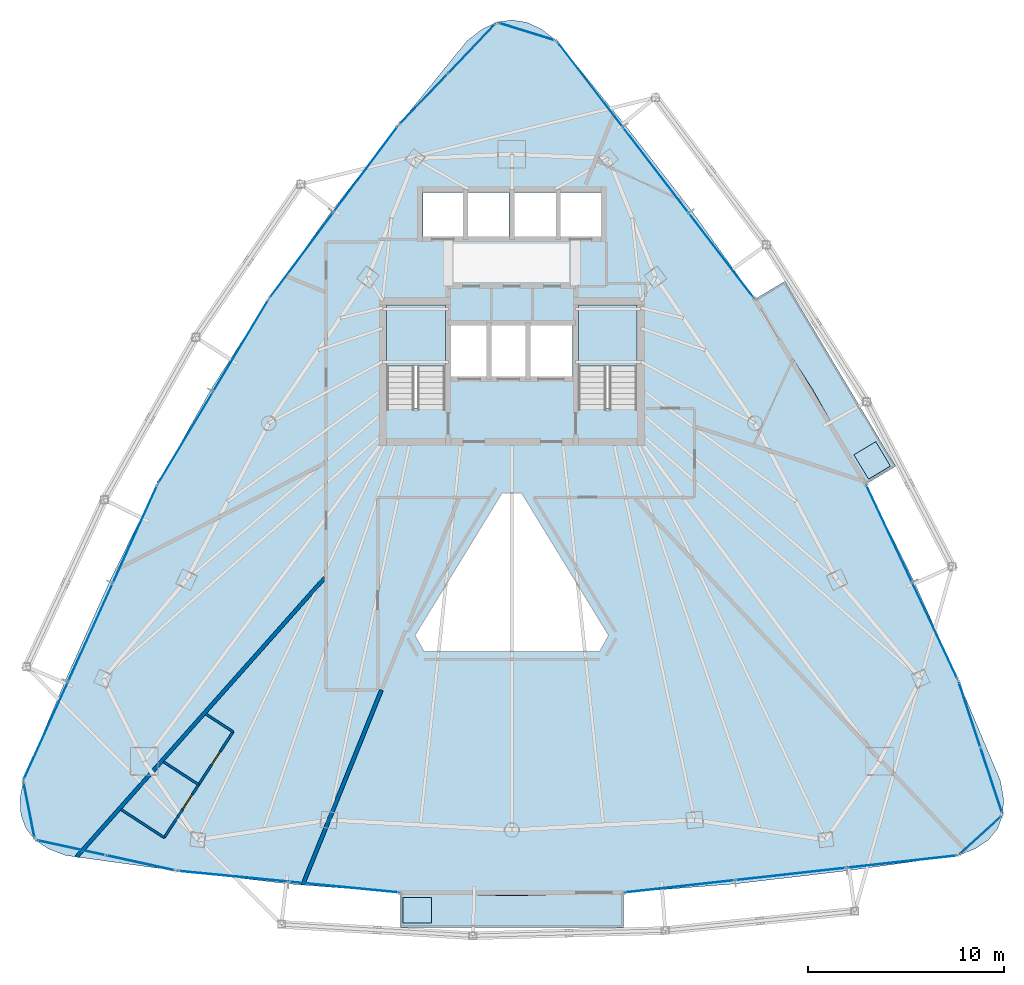
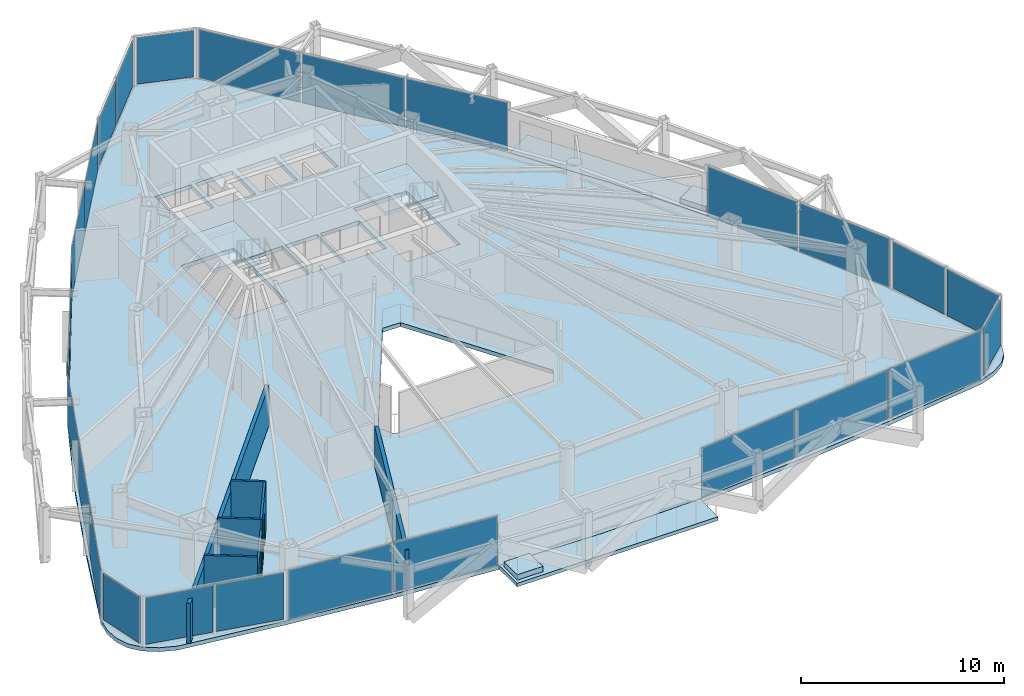
# One storey, part 26 of 31: 26 plates, 7 slabs, 7 walls, 2 doors, 2 openings, 15 elements without a shape of their own.
"""IFC4 building model written with IfcOpenShell, lengths in metres."""

from ifc_helpers import new_model, si_unit, direction, frame, frame_2d, origin, origin_2d, place, context, subcontext, project, spatial, polyline, rectangle, outline, extrude, material, layer, layer_set, type_object, element, fill, aggregate, save


model = new_model("IFC4")

# Units and contexts
model_context = context("Model", 3, precision=1e-05, world=origin(), true_north=direction((0.0, 1.0)))
body_context = subcontext(model_context, "Body", "Model", "MODEL_VIEW")
ifc_project = project(units=[si_unit("LENGTHUNIT", "METRE"), si_unit("AREAUNIT", "SQUARE_METRE"), si_unit("VOLUMEUNIT", "CUBIC_METRE"), si_unit("PLANEANGLEUNIT", "RADIAN"), si_unit("MASSUNIT", "GRAM", prefix="KILO")], contexts=[model_context])

# Site, building, storey
site_placement = place(None, origin())
site = spatial("IfcSite", under=ifc_project, at=site_placement, CompositionType="ELEMENT")
building_placement = place(site_placement, origin())
building = spatial("IfcBuilding", under=site, at=building_placement, Name="Orvanel Arch Residences", CompositionType="ELEMENT")
storey_placement = place(building_placement, frame((0.0, 0.0, 150.64990234375)))
storey = spatial("IfcBuildingStorey", under=building, at=storey_placement, Name="L42", CompositionType="ELEMENT", Elevation=150.64990234375)

# Curtain wall, plates
ifc_material_1 = material(Name="Bronze-anodised aluminium AA6063-T6", Category="aluminium")
ifc_layer_1 = layer(ifc_material_1, 0.179931640625)
ifc_layer_set_1 = layer_set([ifc_layer_1], Name="Bronze-anodised aluminium AA6063-T6")
curtain_wall_type_1 = type_object("IfcCurtainWallType", Name="CW3-MID-SYS", PredefinedType="NOTDEFINED", material=ifc_layer_set_1)
curtain_wall_1_placement = place(storey_placement, origin())
curtain_wall_1 = element("IfcCurtainWall", 1, at=curtain_wall_1_placement, inside=storey, type_object=curtain_wall_type_1, Name="L42 CW3-MID-SYS Unitised Curtain Wall", PredefinedType="NOTDEFINED")
ifc_material_2 = material(Name="Double-glazed solar-control low-E safety glass", Category="glass")
ifc_layer_2 = layer(ifc_material_2, 0.028076171875)
ifc_layer_set_2 = layer_set([ifc_layer_2], Name="Double-glazed solar-control low-E safety glass")
plate_type_1 = type_object("IfcPlateType", Name="PNL-GLZ-28", PredefinedType="CURTAIN_PANEL", material=ifc_layer_set_2)
plate_1_placement = place(storey_placement, frame((25.520751953125, 40.6259765625, 0.06005859375), z_axis=(0.0, 0.0, 1.0), x_axis=(-0.597911652775, -0.801562009751, 0.0)))
plate_1 = element("IfcPlate", 2, at=plate_1_placement, type_object=plate_type_1, Name="CW-S3 panel 1.1", PredefinedType="CURTAIN_PANEL", context=body_context, shape_type="SweptSolid", body=[
    extrude(rectangle(XDim=5.416748046875, YDim=0.028076171875, at=origin_2d()), origin(), (0.0, 0.0, 1.0), 2.93994140625),
])
plate_2_placement = place(storey_placement, frame((22.240234375, 36.22802734375, 0.06005859375), z_axis=(0.0, 0.0, 1.0), x_axis=(-0.597911652775, -0.801562009751, 0.0)))
plate_2 = element("IfcPlate", 3, at=plate_2_placement, type_object=plate_type_1, Name="CW-S3 panel 2.1", PredefinedType="CURTAIN_PANEL", context=body_context, shape_type="SweptSolid", body=[
    extrude(rectangle(XDim=5.416748046875, YDim=0.028076171875, at=origin_2d()), origin(), (0.0, 0.0, 1.0), 2.93994140625),
])
aggregate(curtain_wall_1, [plate_1, plate_2])

curtain_wall_2_placement = place(storey_placement, origin())
curtain_wall_2 = element("IfcCurtainWall", 4, at=curtain_wall_2_placement, inside=storey, type_object=curtain_wall_type_1, Name="L42 CW3-MID-SYS Unitised Curtain Wall", PredefinedType="NOTDEFINED")
plate_3_placement = place(storey_placement, frame((19.135009765625, 31.597412109375, 0.06005859375), z_axis=(0.0, 0.0, 1.0), x_axis=(-0.514415446021, -0.857541106242, 0.0)))
plate_3 = element("IfcPlate", 5, at=plate_3_placement, type_object=plate_type_1, Name="CW-S3 panel 1.1", PredefinedType="CURTAIN_PANEL", context=body_context, shape_type="SweptSolid", body=[
    extrude(rectangle(XDim=5.388671875, YDim=0.028076171875, at=origin_2d()), origin(), (0.0, 0.0, 1.0), 2.93994140625),
])
plate_4_placement = place(storey_placement, frame((16.326904296875, 26.91650390625, 0.06005859375), z_axis=(0.0, 0.0, 1.0), x_axis=(-0.514415446021, -0.857541106242, 0.0)))
plate_4 = element("IfcPlate", 6, at=plate_4_placement, type_object=plate_type_1, Name="CW-S3 panel 2.1", PredefinedType="CURTAIN_PANEL", context=body_context, shape_type="SweptSolid", body=[
    extrude(rectangle(XDim=5.388671875, YDim=0.028076171875, at=origin_2d()), origin(), (0.0, 0.0, 1.0), 2.93994140625),
])
aggregate(curtain_wall_2, [plate_3, plate_4])

curtain_wall_3_placement = place(storey_placement, origin())
curtain_wall_3 = element("IfcCurtainWall", 7, at=curtain_wall_3_placement, inside=storey, type_object=curtain_wall_type_1, Name="L42 CW3-MID-SYS Unitised Curtain Wall", PredefinedType="NOTDEFINED")
plate_5_placement = place(storey_placement, frame((13.73583984375, 21.97412109375, 0.06005859375), z_axis=(0.0, 0.0, 1.0), x_axis=(-0.413181425091, -0.910648730279, 0.0)))
plate_5 = element("IfcPlate", 8, at=plate_5_placement, type_object=plate_type_1, Name="CW-S3 panel 1.1", PredefinedType="CURTAIN_PANEL", context=body_context, shape_type="SweptSolid", body=[
    extrude(rectangle(XDim=5.431640625, YDim=0.028076171875, at=origin_2d()), origin(), (0.0, 0.0, 1.0), 2.93994140625),
])
plate_6_placement = place(storey_placement, frame((11.45556640625, 16.947998046875, 0.06005859375), z_axis=(0.0, 0.0, 1.0), x_axis=(-0.413181425091, -0.910648730279, 0.0)))
plate_6 = element("IfcPlate", 9, at=plate_6_placement, type_object=plate_type_1, Name="CW-S3 panel 2.1", PredefinedType="CURTAIN_PANEL", context=body_context, shape_type="SweptSolid", body=[
    extrude(rectangle(XDim=5.466796875, YDim=0.028076171875, at=origin_2d()), origin(), (0.0, 0.0, 1.0), 2.93994140625),
])
plate_7_placement = place(storey_placement, frame((9.175048828125, 11.921875, 0.06005859375), z_axis=(0.0, 0.0, 1.0), x_axis=(-0.413181425091, -0.910648730279, 0.0)))
plate_7 = element("IfcPlate", 10, at=plate_7_placement, type_object=plate_type_1, Name="CW-S3 panel 3.1", PredefinedType="CURTAIN_PANEL", context=body_context, shape_type="SweptSolid", body=[
    extrude(rectangle(XDim=5.431640625, YDim=0.028076171875, at=origin_2d()), origin(), (0.0, 0.0, 1.0), 2.93994140625),
])
aggregate(curtain_wall_3, [plate_5, plate_6, plate_7])

curtain_wall_4_placement = place(storey_placement, origin())
curtain_wall_4 = element("IfcCurtainWall", 11, at=curtain_wall_4_placement, inside=storey, type_object=curtain_wall_type_1, Name="L42 CW3-MID-SYS Unitised Curtain Wall", PredefinedType="NOTDEFINED")
plate_8_placement = place(storey_placement, frame((18.7666015625, 4.47314453125, 0.06005859375), z_axis=(0.0, 0.0, 1.0), x_axis=(0.995276078249, -0.097085158831, 0.0)))
plate_8 = element("IfcPlate", 12, at=plate_8_placement, type_object=plate_type_1, Name="CW-S3 panel 1.1", PredefinedType="CURTAIN_PANEL", context=body_context, shape_type="SweptSolid", body=[
    extrude(rectangle(XDim=5.6064453125, YDim=0.028076171875, at=origin_2d()), origin(), (0.0, 0.0, 1.0), 2.93994140625),
])
plate_9_placement = place(storey_placement, frame((24.416259765625, 3.921875, 0.06005859375), z_axis=(0.0, 0.0, 1.0), x_axis=(0.995276078249, -0.097085158831, 0.0)))
plate_9 = element("IfcPlate", 13, at=plate_9_placement, type_object=plate_type_1, Name="CW-S3 panel 2.1", PredefinedType="CURTAIN_PANEL", context=body_context, shape_type="SweptSolid", body=[
    extrude(rectangle(XDim=5.6064453125, YDim=0.028076171875, at=origin_2d()), origin(), (0.0, 0.0, 1.0), 2.93994140625),
])
aggregate(curtain_wall_4, [plate_8, plate_9])

curtain_wall_5_placement = place(storey_placement, origin())
curtain_wall_5 = element("IfcCurtainWall", 14, at=curtain_wall_5_placement, inside=storey, type_object=curtain_wall_type_1, Name="L42 CW3-MID-SYS Unitised Curtain Wall", PredefinedType="NOTDEFINED")
plate_10_placement = place(storey_placement, frame((41.5869140625, 3.9609375, 0.06005859375), z_axis=(0.0, 0.0, 1.0), x_axis=(0.993890122368, 0.110374021666, 0.0)))
plate_10 = element("IfcPlate", 15, at=plate_10_placement, type_object=plate_type_1, Name="CW-S3 panel 1.1", PredefinedType="CURTAIN_PANEL", context=body_context, shape_type="SweptSolid", body=[
    extrude(rectangle(XDim=5.62109375, YDim=0.028076171875, at=origin_2d()), origin(), (0.0, 0.0, 1.0), 2.93994140625),
])
plate_11_placement = place(storey_placement, frame((47.260498046875, 4.591064453125, 0.06005859375), z_axis=(0.0, 0.0, 1.0), x_axis=(0.993890122368, 0.110374021666, 0.0)))
plate_11 = element("IfcPlate", 16, at=plate_11_placement, type_object=plate_type_1, Name="CW-S3 panel 2.1", PredefinedType="CURTAIN_PANEL", context=body_context, shape_type="SweptSolid", body=[
    extrude(rectangle(XDim=5.656005859375, YDim=0.028076171875, at=origin_2d()), origin(), (0.0, 0.0, 1.0), 2.93994140625),
])
plate_12_placement = place(storey_placement, frame((52.93408203125, 5.220947265625, 0.06005859375), z_axis=(0.0, 0.0, 1.0), x_axis=(0.993890122368, 0.110374021666, 0.0)))
plate_12 = element("IfcPlate", 17, at=plate_12_placement, type_object=plate_type_1, Name="CW-S3 panel 3.1", PredefinedType="CURTAIN_PANEL", context=body_context, shape_type="SweptSolid", body=[
    extrude(rectangle(XDim=5.62109375, YDim=0.028076171875, at=origin_2d()), origin(), (0.0, 0.0, 1.0), 2.93994140625),
])
aggregate(curtain_wall_5, [plate_10, plate_11, plate_12])

curtain_wall_6_placement = place(storey_placement, origin())
curtain_wall_6 = element("IfcCurtainWall", 18, at=curtain_wall_6_placement, inside=storey, type_object=curtain_wall_type_1, Name="L42 CW3-MID-SYS Unitised Curtain Wall", PredefinedType="NOTDEFINED")
plate_13_placement = place(storey_placement, frame((54.631591796875, 17.031982421875, 0.06005859375), z_axis=(0.0, 0.0, 1.0), x_axis=(-0.425605144026, 0.90490897961, 0.0)))
plate_13 = element("IfcPlate", 19, at=plate_13_placement, type_object=plate_type_1, Name="CW-S3 panel 1.1", PredefinedType="CURTAIN_PANEL", context=body_context, shape_type="SweptSolid", body=[
    extrude(rectangle(XDim=5.41650390625, YDim=0.028076171875, at=origin_2d()), origin(), (0.0, 0.0, 1.0), 2.93994140625),
])
plate_14_placement = place(storey_placement, frame((52.29638671875, 21.996826171875, 0.06005859375), z_axis=(0.0, 0.0, 1.0), x_axis=(-0.425605144026, 0.90490897961, 0.0)))
plate_14 = element("IfcPlate", 20, at=plate_14_placement, type_object=plate_type_1, Name="CW-S3 panel 2.1", PredefinedType="CURTAIN_PANEL", context=body_context, shape_type="SweptSolid", body=[
    extrude(rectangle(XDim=5.41650390625, YDim=0.028076171875, at=origin_2d()), origin(), (0.0, 0.0, 1.0), 2.93994140625),
])
aggregate(curtain_wall_6, [plate_13, plate_14])

curtain_wall_7_placement = place(storey_placement, origin())
curtain_wall_7 = element("IfcCurtainWall", 21, at=curtain_wall_7_placement, inside=storey, type_object=curtain_wall_type_1, Name="L42 CW3-MID-SYS Unitised Curtain Wall", PredefinedType="NOTDEFINED")
plate_15_placement = place(storey_placement, frame((43.724609375, 36.210693359375, 0.06005859375), z_axis=(0.0, 0.0, 1.0), x_axis=(-0.608930688155, 0.793223434489, 0.0)))
plate_15 = element("IfcPlate", 22, at=plate_15_placement, type_object=plate_type_1, Name="CW-S3 panel 1.1", PredefinedType="CURTAIN_PANEL", context=body_context, shape_type="SweptSolid", body=[
    extrude(rectangle(XDim=5.431396484375, YDim=0.028076171875, at=origin_2d()), origin(), (0.0, 0.0, 1.0), 2.93994140625),
])
plate_16_placement = place(storey_placement, frame((40.364013671875, 40.58837890625, 0.06005859375), z_axis=(0.0, 0.0, 1.0), x_axis=(-0.608930688155, 0.793223434489, 0.0)))
plate_16 = element("IfcPlate", 23, at=plate_16_placement, type_object=plate_type_1, Name="CW-S3 panel 2.1", PredefinedType="CURTAIN_PANEL", context=body_context, shape_type="SweptSolid", body=[
    extrude(rectangle(XDim=5.466552734375, YDim=0.028076171875, at=origin_2d()), origin(), (0.0, 0.0, 1.0), 2.93994140625),
])
plate_17_placement = place(storey_placement, frame((37.00341796875, 44.96630859375, 0.06005859375), z_axis=(0.0, 0.0, 1.0), x_axis=(-0.608930688155, 0.793223434489, 0.0)))
plate_17 = element("IfcPlate", 24, at=plate_17_placement, type_object=plate_type_1, Name="CW-S3 panel 3.1", PredefinedType="CURTAIN_PANEL", context=body_context, shape_type="SweptSolid", body=[
    extrude(rectangle(XDim=5.431396484375, YDim=0.028076171875, at=origin_2d()), origin(), (0.0, 0.0, 1.0), 2.93994140625),
])
aggregate(curtain_wall_7, [plate_15, plate_16, plate_17])

# Curtain wall, plate
ifc_layer_3 = layer(ifc_material_1, 0.18994140625)
ifc_layer_set_3 = layer_set([ifc_layer_3], Name="Bronze-anodised aluminium AA6063-T6")
curtain_wall_type_2 = type_object("IfcCurtainWallType", Name="CW5-CRN-SYS", PredefinedType="NOTDEFINED", material=ifc_layer_set_3)
curtain_wall_8_placement = place(storey_placement, origin())
curtain_wall_8 = element("IfcCurtainWall", 25, at=curtain_wall_8_placement, inside=storey, type_object=curtain_wall_type_2, Name="L42 CW5-CRN-SYS Unitised Curtain Wall", PredefinedType="NOTDEFINED")
ifc_layer_4 = layer(ifc_material_2, 0.031982421875)
ifc_layer_set_4 = layer_set([ifc_layer_4], Name="Double-glazed solar-control low-E safety glass")
plate_type_2 = type_object("IfcPlateType", Name="PNL-GLZ-32", PredefinedType="CURTAIN_PANEL", material=ifc_layer_set_4)
plate_18_placement = place(storey_placement, frame((33.764892578125, 47.66796875, 0.1298828125), z_axis=(0.0, 0.0, 1.0), x_axis=(-0.954872708799, 0.297015336288, 0.0)))
plate_18 = element("IfcPlate", 26, at=plate_18_placement, type_object=plate_type_2, Name="CW-S5 panel 1.1", PredefinedType="CURTAIN_PANEL", context=body_context, shape_type="SweptSolid", body=[
    extrude(rectangle(XDim=2.86474609375, YDim=0.031982421875, at=origin_2d()), origin(), (0.0, 0.0, 1.0), 2.800048828125),
])
aggregate(curtain_wall_8, [plate_18])

# Curtain wall, plates
curtain_wall_9_placement = place(storey_placement, origin())
curtain_wall_9 = element("IfcCurtainWall", 27, at=curtain_wall_9_placement, inside=storey, type_object=curtain_wall_type_2, Name="L42 CW5-CRN-SYS Unitised Curtain Wall", PredefinedType="NOTDEFINED")
plate_19_placement = place(storey_placement, frame((30.94189453125, 46.791015625, 0.1298828125), z_axis=(0.0, 0.0, 1.0), x_axis=(-0.69080014446, -0.723045752642, 0.0)))
plate_19 = element("IfcPlate", 28, at=plate_19_placement, type_object=plate_type_2, Name="CW-S5 panel 1.1", PredefinedType="CURTAIN_PANEL", context=body_context, shape_type="SweptSolid", body=[
    extrude(rectangle(XDim=3.4033203125, YDim=0.031982421875, at=origin_2d()), origin(), (0.0, 0.0, 1.0), 2.800048828125),
])
plate_20_placement = place(storey_placement, frame((28.487060546875, 44.221923828125, 0.1298828125), z_axis=(0.0, 0.0, 1.0), x_axis=(-0.69080014446, -0.723045752642, 0.0)))
plate_20 = element("IfcPlate", 29, at=plate_20_placement, type_object=plate_type_2, Name="CW-S5 panel 2.1", PredefinedType="CURTAIN_PANEL", context=body_context, shape_type="SweptSolid", body=[
    extrude(rectangle(XDim=3.4033203125, YDim=0.031982421875, at=origin_2d()), origin(), (0.0, 0.0, 1.0), 2.800048828125),
])
aggregate(curtain_wall_9, [plate_19, plate_20])

# Curtain wall, plate
curtain_wall_10_placement = place(storey_placement, origin())
curtain_wall_10 = element("IfcCurtainWall", 30, at=curtain_wall_10_placement, inside=storey, type_object=curtain_wall_type_2, Name="L42 CW5-CRN-SYS Unitised Curtain Wall", PredefinedType="NOTDEFINED")
plate_21_placement = place(storey_placement, frame((8.3173828125, 7.853515625, 0.1298828125), z_axis=(0.0, 0.0, 1.0), x_axis=(0.195358384081, -0.980731921459, 0.0)))
plate_21 = element("IfcPlate", 31, at=plate_21_placement, type_object=plate_type_2, Name="CW-S5 panel 1.1", PredefinedType="CURTAIN_PANEL", context=body_context, shape_type="SweptSolid", body=[
    extrude(rectangle(XDim=2.74560546875, YDim=0.031982421875, at=origin_2d()), origin(), (0.0, 0.0, 1.0), 2.800048828125),
])
aggregate(curtain_wall_10, [plate_21])

# Curtain wall, plates
curtain_wall_11_placement = place(storey_placement, origin())
curtain_wall_11 = element("IfcCurtainWall", 32, at=curtain_wall_11_placement, inside=storey, type_object=curtain_wall_type_2, Name="L42 CW5-CRN-SYS Unitised Curtain Wall", PredefinedType="NOTDEFINED")
plate_22_placement = place(storey_placement, frame((10.482666015625, 5.93359375, 0.1298828125), z_axis=(0.0, 0.0, 1.0), x_axis=(0.976988114097, -0.213293752637, 0.0)))
plate_22 = element("IfcPlate", 33, at=plate_22_placement, type_object=plate_type_2, Name="CW-S5 panel 1.1", PredefinedType="CURTAIN_PANEL", context=body_context, shape_type="SweptSolid", body=[
    extrude(rectangle(XDim=3.47412109375, YDim=0.031982421875, at=origin_2d()), origin(), (0.0, 0.0, 1.0), 2.800048828125),
])
plate_23_placement = place(storey_placement, frame((14.0234375, 5.160400390625, 0.1298828125), z_axis=(0.0, 0.0, 1.0), x_axis=(0.976988114097, -0.213293752637, 0.0)))
plate_23 = element("IfcPlate", 34, at=plate_23_placement, type_object=plate_type_2, Name="CW-S5 panel 2.1", PredefinedType="CURTAIN_PANEL", context=body_context, shape_type="SweptSolid", body=[
    extrude(rectangle(XDim=3.47412109375, YDim=0.031982421875, at=origin_2d()), origin(), (0.0, 0.0, 1.0), 2.800048828125),
])
aggregate(curtain_wall_11, [plate_22, plate_23])

# Curtain wall, plate
curtain_wall_12_placement = place(storey_placement, origin())
curtain_wall_12 = element("IfcCurtainWall", 35, at=curtain_wall_12_placement, inside=storey, type_object=curtain_wall_type_2, Name="L42 CW5-CRN-SYS Unitised Curtain Wall", PredefinedType="NOTDEFINED")
plate_24_placement = place(storey_placement, frame((56.9599609375, 6.57861328125, 0.1298828125), z_axis=(0.0, 0.0, 1.0), x_axis=(0.740251787651, 0.672329748621, 0.0)))
plate_24 = element("IfcPlate", 36, at=plate_24_placement, type_object=plate_type_2, Name="CW-S5 panel 1.1", PredefinedType="CURTAIN_PANEL", context=body_context, shape_type="SweptSolid", body=[
    extrude(rectangle(XDim=2.74755859375, YDim=0.031982421875, at=origin_2d()), origin(), (0.0, 0.0, 1.0), 2.800048828125),
])
aggregate(curtain_wall_12, [plate_24])

# Curtain wall, plates
curtain_wall_13_placement = place(storey_placement, origin())
curtain_wall_13 = element("IfcCurtainWall", 37, at=curtain_wall_13_placement, inside=storey, type_object=curtain_wall_type_2, Name="L42 CW5-CRN-SYS Unitised Curtain Wall", PredefinedType="NOTDEFINED")
plate_25_placement = place(storey_placement, frame((57.518310546875, 9.382080078125, 0.1298828125), z_axis=(0.0, 0.0, 1.0), x_axis=(-0.314480118, 0.949264059882, 0.0)))
plate_25 = element("IfcPlate", 38, at=plate_25_placement, type_object=plate_type_2, Name="CW-S5 panel 1.1", PredefinedType="CURTAIN_PANEL", context=body_context, shape_type="SweptSolid", body=[
    extrude(rectangle(XDim=3.380859375, YDim=0.031982421875, at=origin_2d()), origin(), (0.0, 0.0, 1.0), 2.800048828125),
])
plate_26_placement = place(storey_placement, frame((56.40771484375, 12.73388671875, 0.1298828125), z_axis=(0.0, 0.0, 1.0), x_axis=(-0.314480118, 0.949264059882, 0.0)))
plate_26 = element("IfcPlate", 39, at=plate_26_placement, type_object=plate_type_2, Name="CW-S5 panel 2.1", PredefinedType="CURTAIN_PANEL", context=body_context, shape_type="SweptSolid", body=[
    extrude(rectangle(XDim=3.380859375, YDim=0.031982421875, at=origin_2d()), origin(), (0.0, 0.0, 1.0), 2.800048828125),
])
aggregate(curtain_wall_13, [plate_25, plate_26])

# Slabs
ifc_material_3 = material(Name="Concrete N40 (40 MPa)", Category="concrete")
ifc_layer_5 = layer(ifc_material_3, 0.215087890625)
ifc_layer_set_5 = layer_set([ifc_layer_5], Name="Concrete N40 (40 MPa)")
slab_type_1 = type_object("IfcSlabType", Name="SLB-BAL-215", PredefinedType="FLOOR", material=ifc_layer_set_5)
slab_1_placement = place(storey_placement, frame((0.0, 0.0, -0.21484375)))
element("IfcSlab", 40, at=slab_1_placement, inside=storey, type_object=slab_type_1, Name="L42 Cantilevered Balcony Slab Face 2", PredefinedType="FLOOR", context=body_context, shape_type="SweptSolid", body=[
    extrude(outline(polyline([(27.2958984375, 1.861083984375), (38.7041015625, 1.861083984375), (38.7041015625, 3.64111328125), (33.0, 3.48388671875), (27.2958984375, 3.64111328125), (27.2958984375, 1.861083984375)])), origin(), (0.0, 0.0, 1.0), 0.21484375),
])
slab_2_placement = place(storey_placement, frame((0.0, 0.0, -0.21484375)))
element("IfcSlab", 41, at=slab_2_placement, inside=storey, type_object=slab_type_1, Name="L42 Cantilevered Balcony Slab Face 3", PredefinedType="FLOOR", context=body_context, shape_type="SweptSolid", body=[
    extrude(outline(polyline([(52.632080078125, 25.444091796875), (46.958984375, 34.90087890625), (45.43310546875, 33.985107421875), (48.403076171875, 29.3369140625), (51.10498046875, 24.529052734375), (52.632080078125, 25.444091796875)])), origin(), (0.0, 0.0, 1.0), 0.21484375),
])

# Stair, slab
ifc_material_4 = material(Name="Precast concrete N50 (50 MPa)", Category="concrete")
stair_type = type_object("IfcStairType", Name="STR-DOG-184", PredefinedType="USERDEFINED", material=ifc_material_4)
stair_1_placement = place(storey_placement, origin())
stair_1 = element("IfcStair", 42, at=stair_1_placement, inside=storey, type_object=stair_type, Name="L42 Fire-Isolated Core Exit Stair 1", ObjectType="TWO_RETURN_STAIR", PredefinedType="USERDEFINED")
ifc_layer_6 = layer(ifc_material_3, 0.199951171875)
ifc_layer_set_6 = layer_set([ifc_layer_6], Name="Concrete N40 (40 MPa)")
slab_type_2 = type_object("IfcSlabType", Name="SLB-LND-200", PredefinedType="LANDING", material=ifc_layer_set_6)
slab_3_placement = place(storey_placement, frame((0.0, 0.0, 1.4501953125)))
slab_3 = element("IfcSlab", 43, at=slab_3_placement, type_object=slab_type_2, Name="ST-1 landing 1", PredefinedType="LANDING", context=body_context, shape_type="SweptSolid", body=[
    extrude(outline(polyline([(29.60009765625, 30.56005859375), (29.60009765625, 33.699951171875), (26.60009765625, 33.699951171875), (26.60009765625, 30.56005859375), (29.60009765625, 30.56005859375)])), origin(), (0.0, 0.0, 1.0), 0.199951171875),
])
aggregate(stair_1, [slab_3])

stair_2_placement = place(storey_placement, origin())
stair_2 = element("IfcStair", 44, at=stair_2_placement, inside=storey, type_object=stair_type, Name="L42 Fire-Isolated Core Exit Stair 2", ObjectType="TWO_RETURN_STAIR", PredefinedType="USERDEFINED")
slab_4_placement = place(storey_placement, frame((0.0, 0.0, 1.4501953125)))
slab_4 = element("IfcSlab", 45, at=slab_4_placement, type_object=slab_type_2, Name="ST-2 landing 1", PredefinedType="LANDING", context=body_context, shape_type="SweptSolid", body=[
    extrude(outline(polyline([(39.39990234375, 30.56005859375), (39.39990234375, 33.699951171875), (36.39990234375, 33.699951171875), (36.39990234375, 30.56005859375), (39.39990234375, 30.56005859375)])), origin(), (0.0, 0.0, 1.0), 0.199951171875),
])
aggregate(stair_2, [slab_4])

# Slabs
ifc_material_5 = material(Name="Structural architectural precast concrete N40 (40 MPa) planter", Category="concrete")
ifc_layer_7 = layer(ifc_material_5, 0.320068359375)
ifc_layer_set_7 = layer_set([ifc_layer_7], Name="Structural architectural precast concrete N40 (40 MPa) planter")
slab_type_3 = type_object("IfcSlabType", Name="SLB-PLN-320", PredefinedType="USERDEFINED", material=ifc_layer_set_7)
slab_5_placement = place(storey_placement, origin())
element("IfcSlab", 46, at=slab_5_placement, inside=storey, type_object=slab_type_3, Name="L42 Balcony TREE PLANTER Face 2", ObjectType="PLANTER", PredefinedType="USERDEFINED", context=body_context, shape_type="SweptSolid", body=[
    extrude(outline(polyline([(27.446044921875, 2.091064453125), (28.89599609375, 2.091064453125), (28.89599609375, 3.39111328125), (27.446044921875, 3.39111328125), (27.446044921875, 2.091064453125)])), origin(), (0.0, 0.0, 1.0), 0.320068359375),
])
slab_6_placement = place(storey_placement, origin())
element("IfcSlab", 47, at=slab_6_placement, inside=storey, type_object=slab_type_3, Name="L42 Balcony TREE PLANTER Face 3", ObjectType="PLANTER", PredefinedType="USERDEFINED", context=body_context, shape_type="SweptSolid", body=[
    extrude(outline(polyline([(52.35693359375, 25.455078125), (51.611083984375, 26.697998046875), (50.49609375, 26.029052734375), (51.241943359375, 24.785888671875), (52.35693359375, 25.455078125)])), origin(), (0.0, 0.0, 1.0), 0.320068359375),
])
ifc_layer_8 = layer(ifc_material_3, 0.239990234375)
ifc_layer_set_8 = layer_set([ifc_layer_8], Name="Concrete N40 (40 MPa)")
slab_type_4 = type_object("IfcSlabType", Name="SLB-TYP-240", PredefinedType="FLOOR", material=ifc_layer_set_8)
slab_7_placement = place(storey_placement, frame((0.0, 0.0, -0.239990234375)))
element("IfcSlab", 48, at=slab_7_placement, inside=storey, type_object=slab_type_4, Name="L42 Tower Floor Slab", PredefinedType="FLOOR", context=body_context, shape_type="SweptSolid", body=[
    extrude(outline(polyline([(35.294921875, 47.19189453125), (34.530029296875, 47.787109375), (33.764892578125, 48.14404296875), (33.0, 48.262939453125), (32.235107421875, 48.14404296875), (31.469970703125, 47.787109375), (30.7041015625, 47.19189453125), (27.194091796875, 42.868896484375), (23.784912109375, 38.48388671875), (20.56689453125, 33.985107421875), (17.596923828125, 29.3369140625), (14.89501953125, 24.529052734375), (12.44091796875, 19.572021484375), (10.177001953125, 14.5), (8.01611328125, 9.366943359375), (7.85107421875, 8.431884765625), (7.89697265625, 7.615966796875), (8.153076171875, 6.91796875), (8.618896484375, 6.340087890625), (9.2958984375, 5.881103515625), (10.18310546875, 5.541015625), (15.886962890625, 4.75390625), (21.591064453125, 4.0869140625), (27.2958984375, 3.64111328125), (33.0, 3.48388671875), (38.7041015625, 3.64111328125), (44.408935546875, 4.0869140625), (50.113037109375, 4.75390625), (55.81689453125, 5.541015625), (56.7041015625, 5.881103515625), (57.381103515625, 6.340087890625), (57.846923828125, 6.91796875), (58.10302734375, 7.615966796875), (58.14892578125, 8.431884765625), (57.98388671875, 9.366943359375), (55.822998046875, 14.5), (53.55908203125, 19.572021484375), (51.10498046875, 24.529052734375), (48.403076171875, 29.3369140625), (45.43310546875, 33.985107421875), (42.215087890625, 38.48388671875), (38.805908203125, 42.868896484375), (35.294921875, 47.19189453125)]), holes=[polyline([(26.60009765625, 28.429931640625), (26.60009765625, 33.699951171875), (29.60009765625, 33.699951171875), (29.60009765625, 28.429931640625), (26.60009765625, 28.429931640625)]), polyline([(36.39990234375, 28.429931640625), (36.39990234375, 33.699951171875), (39.39990234375, 33.699951171875), (39.39990234375, 28.429931640625), (36.39990234375, 28.429931640625)]), polyline([(29.89990234375, 32.64990234375), (31.75, 32.64990234375), (31.75, 29.949951171875), (29.89990234375, 29.949951171875), (29.89990234375, 32.64990234375)]), polyline([(31.89990234375, 32.64990234375), (33.75, 32.64990234375), (33.75, 29.949951171875), (31.89990234375, 29.949951171875), (31.89990234375, 32.64990234375)]), polyline([(33.89990234375, 32.64990234375), (36.10009765625, 32.64990234375), (36.10009765625, 29.949951171875), (33.89990234375, 29.949951171875), (33.89990234375, 32.64990234375)]), polyline([(28.449951171875, 39.449951171875), (30.5, 39.449951171875), (30.5, 37.199951171875), (28.449951171875, 37.199951171875), (28.449951171875, 39.449951171875)]), polyline([(35.5, 39.449951171875), (37.550048828125, 39.449951171875), (37.550048828125, 37.199951171875), (35.5, 37.199951171875), (35.5, 39.449951171875)]), polyline([(30.75, 39.449951171875), (32.85009765625, 39.449951171875), (32.85009765625, 37.199951171875), (30.75, 37.199951171875), (30.75, 39.449951171875)]), polyline([(33.14990234375, 39.449951171875), (35.25, 39.449951171875), (35.25, 37.199951171875), (33.14990234375, 37.199951171875), (33.14990234375, 39.449951171875)]), polyline([(37.9541015625, 16.7958984375), (37.492919921875, 15.97509765625), (28.506103515625, 15.97509765625), (28.0458984375, 16.7958984375), (32.498046875, 24.0791015625), (33.501953125, 24.0791015625), (37.9541015625, 16.7958984375)])]), origin(), (0.0, 0.0, 1.0), 0.239990234375),
])

# Walls
ifc_material_6 = material(Name="Fire-rated plasterboard lined steel stud partition", Category="steel")
ifc_layer_9 = layer(ifc_material_6, 0.199951171875)
ifc_layer_set_9 = layer_set([ifc_layer_9], Name="Fire-rated plasterboard lined steel stud partition")
wall_type_1 = type_object("IfcWallType", Name="W-DEM-200", PredefinedType="PARTITIONING", material=ifc_layer_set_9)
wall_1_placement = place(storey_placement, frame((22.31103515625, 4.044921875, 0.0), z_axis=(0.0, 0.0, 1.0), x_axis=(0.374673572515, 0.92715679044, 0.0)))
element("IfcWall", 49, at=wall_1_placement, inside=storey, type_object=wall_type_1, Name="L42 Inter-Tenancy Acoustic Demising Wall", PredefinedType="PARTITIONING", context=body_context, shape_type="SweptSolid", body=[
    extrude(rectangle(XDim=10.7373046875, YDim=0.199951171875, at=frame_2d((5.36865234375, 0.0))), origin(), (0.0, 0.0, 1.0), 2.4130859375),
])
wall_2_placement = place(storey_placement, frame((23.43994140625, 19.7470703125, 0.0), z_axis=(0.0, 0.0, 1.0), x_axis=(-0.664444771995, -0.747337370248, 0.0)))
element("IfcWall", 50, at=wall_2_placement, inside=storey, type_object=wall_type_1, Name="L42 Inter-Tenancy Acoustic Demising Wall", PredefinedType="PARTITIONING", context=body_context, shape_type="SweptSolid", body=[
    extrude(rectangle(XDim=19.09716796875, YDim=0.199951171875, at=frame_2d((9.548583984375, 0.0))), origin(), (0.0, 0.0, 1.0), 2.4130859375),
])

# Wall, opening, door
ifc_material_7 = material(Name="Acoustic plasterboard lined twin-stud partition", Category="gypsum")
ifc_layer_10 = layer(ifc_material_7, 0.1201171875)
ifc_layer_set_10 = layer_set([ifc_layer_10], Name="Acoustic plasterboard lined twin-stud partition")
wall_type_2 = type_object("IfcWallType", Name="W-WET-120", PredefinedType="PARTITIONING", material=ifc_layer_set_10)
wall_3_placement = place(storey_placement, frame((16.986083984375, 9.159912109375, 0.0), z_axis=(0.0, 0.0, 1.0), x_axis=(0.545222266406, 0.8382915246, 0.0)))
wall_3 = element("IfcWall", 51, at=wall_3_placement, inside=storey, type_object=wall_type_2, Name="L42 Studio A Bathroom Partition", PredefinedType="PARTITIONING", context=body_context, shape_type="SweptSolid", body=[
    extrude(rectangle(XDim=3.22802734375, YDim=0.1201171875, at=frame_2d((1.614013671875, 0.0))), origin(), (0.0, 0.0, 1.0), 3.06005859375),
])
opening_1_placement = place(wall_3_placement, frame((1.2041015625, 0.0, 0.0)))
opening_1 = element("IfcOpeningElement", 52, at=opening_1_placement, cuts=wall_3, Name="Opening DW-082", PredefinedType="OPENING", context=body_context, shape_type="SweptSolid", body=[
    extrude(rectangle(XDim=0.820068359375, YDim=2.10009765625, at=frame_2d((0.41015625, 1.050048828125))), frame((0.0, 0.070068359375, 0.0), z_axis=(0.0, -1.0, 0.0), x_axis=(1.0, 0.0, 0.0)), (0.0, 0.0, 1.0), 0.14013671875),
])
ifc_material_8 = material(Name="Solid-core European oak veneer fire door leaf", Category="wood")
door_type_1 = type_object("IfcDoorType", Name="DR-WET-820", OperationType="NOTDEFINED", PredefinedType="DOOR", material=ifc_material_8)
door_1_placement = place(opening_1_placement, origin())
door_1 = element("IfcDoor", 53, at=door_1_placement, inside=storey, type_object=door_type_1, Name="DR-L42-A-BATH L42 Studio A Bathroom Door", OperationType="SINGLE_SWING_RIGHT", OverallHeight=2.10009765625, OverallWidth=0.820068359375, PredefinedType="DOOR", context=body_context, shape_type="SweptSolid", body=[
    extrude(rectangle(XDim=0.820068359375, YDim=2.10009765625, at=frame_2d((0.41015625, 1.050048828125))), frame((0.0, 0.02490234375, 0.0), z_axis=(0.0, -1.0, 0.0), x_axis=(1.0, 0.0, 0.0)), (0.0, 0.0, 1.0), 0.050048828125),
])
fill(opening_1, door_1)

# Walls
wall_4_placement = place(storey_placement, frame((18.74609375, 11.865966796875, 0.0), z_axis=(0.0, 0.0, 1.0), x_axis=(-0.838034005253, 0.545618003771, 0.0)))
element("IfcWall", 54, at=wall_4_placement, inside=storey, type_object=wall_type_2, Name="L42 Studio A Bathroom Partition", PredefinedType="PARTITIONING", context=body_context, shape_type="SweptSolid", body=[
    extrude(rectangle(XDim=1.662353515625, YDim=0.1201171875, at=frame_2d((0.8310546875, 0.0))), origin(), (0.0, 0.0, 1.0), 3.06005859375),
])
wall_5_placement = place(storey_placement, frame((13.013916015625, 7.89306640625, 0.0), z_axis=(0.0, 0.0, 1.0), x_axis=(0.838149605573, -0.545440407999, 0.0)))
element("IfcWall", 55, at=wall_5_placement, inside=storey, type_object=wall_type_2, Name="L42 Studio A Internal Partition", PredefinedType="PARTITIONING", context=body_context, shape_type="SweptSolid", body=[
    extrude(rectangle(XDim=2.63818359375, YDim=0.1201171875, at=frame_2d((1.319091796875, 0.0))), origin(), (0.0, 0.0, 1.0), 3.06005859375),
])

# Wall, opening, door
wall_6_placement = place(storey_placement, frame((15.22509765625, 6.4541015625, 0.0), z_axis=(0.0, 0.0, 1.0), x_axis=(0.54546937792, 0.838130752181, 0.0)))
wall_6 = element("IfcWall", 56, at=wall_6_placement, inside=storey, type_object=wall_type_2, Name="L42 Studio A Internal Partition", PredefinedType="PARTITIONING", context=body_context, shape_type="SweptSolid", body=[
    extrude(rectangle(XDim=3.228271484375, YDim=0.1201171875, at=frame_2d((1.6142578125, 0.0))), origin(), (0.0, 0.0, 1.0), 2.4130859375),
])
opening_2_placement = place(wall_6_placement, frame((1.743896484375, 0.0, 0.0)))
opening_2 = element("IfcOpeningElement", 57, at=opening_2_placement, cuts=wall_6, Name="Opening DI-088", PredefinedType="OPENING", context=body_context, shape_type="SweptSolid", body=[
    extrude(rectangle(XDim=0.8798828125, YDim=2.10009765625, at=frame_2d((0.43994140625, 1.050048828125))), frame((0.0, 0.070068359375, 0.0), z_axis=(0.0, -1.0, 0.0), x_axis=(1.0, 0.0, 0.0)), (0.0, 0.0, 1.0), 0.14013671875),
])
door_type_2 = type_object("IfcDoorType", Name="DR-INT-880", OperationType="NOTDEFINED", PredefinedType="DOOR", material=ifc_material_8)
door_2_placement = place(opening_2_placement, origin())
door_2 = element("IfcDoor", 58, at=door_2_placement, inside=storey, type_object=door_type_2, Name="DR-L42-A-KIT L42 Studio A Kitchenette Door", OperationType="SINGLE_SWING_LEFT", OverallHeight=2.10009765625, OverallWidth=0.8798828125, PredefinedType="DOOR", context=body_context, shape_type="SweptSolid", body=[
    extrude(rectangle(XDim=0.8798828125, YDim=2.10009765625, at=frame_2d((0.43994140625, 1.050048828125))), frame((0.0, 0.02490234375, 0.0), z_axis=(0.0, -1.0, 0.0), x_axis=(1.0, 0.0, 0.0)), (0.0, 0.0, 1.0), 0.050048828125),
])
fill(opening_2, door_2)

# Wall
wall_7_placement = place(storey_placement, frame((16.986083984375, 9.159912109375, 0.0), z_axis=(0.0, 0.0, 1.0), x_axis=(-0.838062073647, 0.545574890106, 0.0)))
element("IfcWall", 59, at=wall_7_placement, inside=storey, type_object=wall_type_2, Name="L42 Studio A Bathroom Partition", PredefinedType="PARTITIONING", context=body_context, shape_type="SweptSolid", body=[
    extrude(rectangle(XDim=2.150146484375, YDim=0.1201171875, at=frame_2d((1.0751953125, 0.0))), origin(), (0.0, 0.0, 1.0), 3.06005859375),
])

save(model, "model.ifc")
